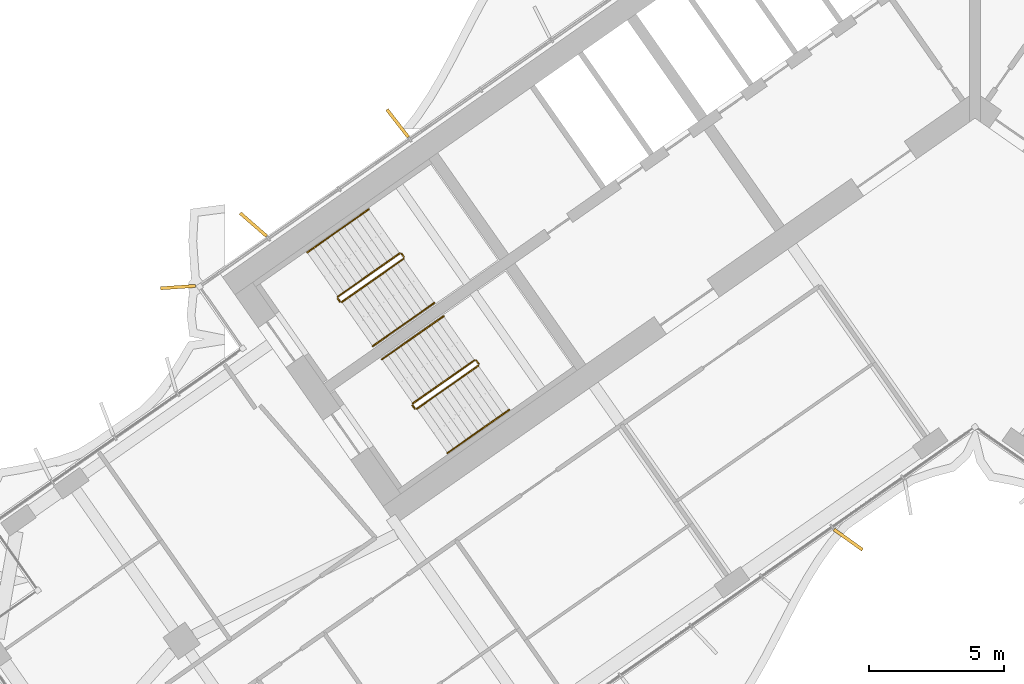
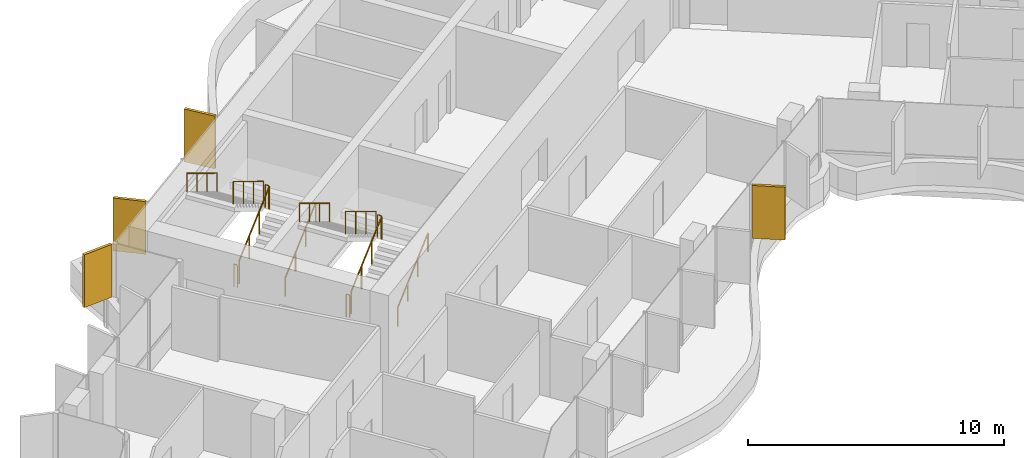
# One storey, part 19 of 23: 12 railings, 4 shading devices.
"""IFC4 building model written with IfcOpenShell, lengths in metres."""

from ifc_helpers import new_model, si_unit, direction, frame, origin, origin_2d, place, context, subcontext, project, spatial, rectangle, circle, extrude, material, layer, layer_set, type_object, element, save


model = new_model("IFC4")

# Units and contexts
model_context = context("Model", 3, precision=1e-05, world=origin(), true_north=direction((0.0, 1.0)))
body_context = subcontext(model_context, "Body", "Model", "MODEL_VIEW")
ifc_project = project(units=[si_unit("LENGTHUNIT", "METRE"), si_unit("AREAUNIT", "SQUARE_METRE"), si_unit("VOLUMEUNIT", "CUBIC_METRE"), si_unit("PLANEANGLEUNIT", "RADIAN"), si_unit("MASSUNIT", "GRAM", prefix="KILO")], contexts=[model_context])

# Site, building, storey
site_placement = place(None, origin())
site = spatial("IfcSite", under=ifc_project, at=site_placement, CompositionType="ELEMENT")
building_placement = place(site_placement, origin())
building = spatial("IfcBuilding", under=site, at=building_placement, Name="Tel Ilan Convention Tower", CompositionType="ELEMENT")
storey_placement = place(building_placement, frame((0.0, 0.0, 190.5)))
storey = spatial("IfcBuildingStorey", under=building, at=storey_placement, Name="L44", CompositionType="ELEMENT", Elevation=190.5)

# Shading devices
ifc_material_1 = material(Name="Aluminium, bronze anodised", Category="aluminium")
ifc_layer = layer(ifc_material_1, 0.1201171875)
ifc_layer_set = layer_set([ifc_layer], Name="FIN BRONZE 1300x120")
shading_device_type = type_object("IfcShadingDeviceType", Name="FIN BRONZE 1300x120", PredefinedType="USERDEFINED", material=ifc_layer_set)
for number, where, z_axis, x_axis, name in (
    (1, (-21.46044921875, -1.4130859375, 1.10009765625), (0.0, 0.0, 1.0), (-0.612600545196, 0.790392669516, 0.0), "FIN"),
    (2, (-26.823974609375, -5.177001953125, 1.10009765625), (0.0, 0.0, 1.0), (-0.753435896329, 0.657521368568, 0.0), "FIN"),
    (3, (-29.62109375, -7.500732421875, 1.10009765625), (0.0, 0.0, 1.0), (-0.997697449973, -0.067821812994, 0.0), "FIN"),
    (4, (-4.71044921875, -16.888427734375, 1.10009765625), (0.0, 0.0, 1.0), (0.813552070258, -0.581492071294, 0.0), "FIN"),
):
    element("IfcShadingDevice", number, at=place(storey_placement, frame(where, z_axis=z_axis, x_axis=x_axis)), inside=storey, type_object=shading_device_type, Name=name, ObjectType="FIN", PredefinedType="USERDEFINED", context=body_context, shape_type="SweptSolid", body=[
        extrude(rectangle(XDim=1.300048828125, YDim=0.1201171875, at=origin_2d()), origin(), (0.0, 0.0, 1.0), 2.52001953125),
    ])

# Railings
ifc_material_2 = material(Name="Stainless Steel Grade 316", Category="steel")
railing_type_1 = type_object("IfcRailingType", Name="Stainless Steel Stair Guard 1100 mm", PredefinedType="GUARDRAIL", material=ifc_material_2)
railing_1_placement = place(storey_placement, frame((-23.535400390625, -8.056396484375, 0.17724609375)))
element("IfcRailing", 5, at=railing_1_placement, inside=storey, type_object=railing_type_1, Name="L44 S1 stair guard 1", PredefinedType="GUARDRAIL", context=body_context, shape_type="SweptSolid", body=[
    extrude(circle(Radius=0.02392578125, at=origin_2d()), frame((0.0, 0.0, 1.076171875), z_axis=(0.692098378994, 0.484653031975, 0.534893701956), x_axis=(-0.573608623498, 0.819129505664, 0.0)), (0.0, 0.0, 1.0), 3.314208984375),
    extrude(circle(Radius=0.02099609375, at=origin_2d()), origin(), (0.0, 0.0, 1.0), 1.052001953125),
    extrude(circle(Radius=0.02099609375, at=origin_2d()), frame((0.7646484375, 0.535400390625, 0.5908203125)), (0.0, 0.0, 1.0), 1.052001953125),
    extrude(circle(Radius=0.02099609375, at=origin_2d()), frame((1.529052734375, 1.07080078125, 1.181884765625)), (0.0, 0.0, 1.0), 1.052001953125),
    extrude(circle(Radius=0.02099609375, at=origin_2d()), frame((2.293701171875, 1.606201171875, 1.772705078125)), (0.0, 0.0, 1.0), 1.052001953125),
])
railing_2_placement = place(storey_placement, frame((-21.2294921875, -6.380615234375, 1.949951171875)))
element("IfcRailing", 6, at=railing_2_placement, inside=storey, type_object=railing_type_1, Name="L44 S1 stair guard 2", PredefinedType="GUARDRAIL", context=body_context, shape_type="SweptSolid", body=[
    extrude(circle(Radius=0.02392578125, at=origin_2d()), frame((0.0, 0.0, 1.076171875), z_axis=(-0.573353020881, 0.819308436089, 0.0), x_axis=(-0.819308436089, -0.573353020881, 0.0)), (0.0, 0.0, 1.0), 0.14990234375),
    extrude(circle(Radius=0.02099609375, at=origin_2d()), origin(), (0.0, 0.0, 1.0), 1.052001953125),
    extrude(circle(Radius=0.02099609375, at=origin_2d()), frame((-0.0859375, 0.122802734375, 0.0)), (0.0, 0.0, 1.0), 1.052001953125),
])
railing_3_placement = place(storey_placement, frame((-21.38525390625, -6.24560546875, 2.127197265625)))
element("IfcRailing", 7, at=railing_3_placement, inside=storey, type_object=railing_type_1, Name="L44 S1 stair guard 3", PredefinedType="GUARDRAIL", context=body_context, shape_type="SweptSolid", body=[
    extrude(circle(Radius=0.02392578125, at=origin_2d()), frame((0.0, 0.0, 1.076171875), z_axis=(-0.692084706163, -0.484621375041, 0.534940073605), x_axis=(0.573591086599, -0.819141785879, 0.0)), (0.0, 0.0, 1.0), 3.313720703125),
    extrude(circle(Radius=0.02099609375, at=origin_2d()), origin(), (0.0, 0.0, 1.0), 1.052001953125),
    extrude(circle(Radius=0.02099609375, at=origin_2d()), frame((-0.764404296875, -0.535400390625, 0.5908203125)), (0.0, 0.0, 1.0), 1.052001953125),
    extrude(circle(Radius=0.02099609375, at=origin_2d()), frame((-1.529052734375, -1.070556640625, 1.181884765625)), (0.0, 0.0, 1.0), 1.052001953125),
    extrude(circle(Radius=0.02099609375, at=origin_2d()), frame((-2.29345703125, -1.60595703125, 1.772705078125)), (0.0, 0.0, 1.0), 1.052001953125),
])
railing_4_placement = place(storey_placement, frame((-23.60498046875, -8.0439453125, 0.0)))
element("IfcRailing", 8, at=railing_4_placement, inside=storey, type_object=railing_type_1, Name="L44 S1 stair guard 4", PredefinedType="GUARDRAIL", context=body_context, shape_type="SweptSolid", body=[
    extrude(circle(Radius=0.02392578125, at=origin_2d()), frame((0.0, 0.0, 1.076171875), z_axis=(-0.574444878118, 0.818543268254, 0.0), x_axis=(-0.818543268254, -0.574444878118, 0.0)), (0.0, 0.0, 1.0), 0.150146484375),
    extrude(circle(Radius=0.02099609375, at=origin_2d()), origin(), (0.0, 0.0, 1.0), 1.052001953125),
    extrude(circle(Radius=0.02099609375, at=origin_2d()), frame((-0.086181640625, 0.122802734375, 0.0)), (0.0, 0.0, 1.0), 1.052001953125),
])
railing_5_placement = place(storey_placement, frame((-20.753662109375, -12.029296875, 0.17724609375)))
element("IfcRailing", 9, at=railing_5_placement, inside=storey, type_object=railing_type_1, Name="L44 S2 stair guard 1", PredefinedType="GUARDRAIL", context=body_context, shape_type="SweptSolid", body=[
    extrude(circle(Radius=0.02392578125, at=origin_2d()), frame((0.0, 0.0, 1.076171875), z_axis=(0.692098378994, 0.484653031975, 0.534893701956), x_axis=(-0.573608623498, 0.819129505664, 0.0)), (0.0, 0.0, 1.0), 3.314208984375),
    extrude(circle(Radius=0.02099609375, at=origin_2d()), origin(), (0.0, 0.0, 1.0), 1.052001953125),
    extrude(circle(Radius=0.02099609375, at=origin_2d()), frame((0.7646484375, 0.535400390625, 0.5908203125)), (0.0, 0.0, 1.0), 1.052001953125),
    extrude(circle(Radius=0.02099609375, at=origin_2d()), frame((1.529052734375, 1.07080078125, 1.181884765625)), (0.0, 0.0, 1.0), 1.052001953125),
    extrude(circle(Radius=0.02099609375, at=origin_2d()), frame((2.293701171875, 1.606201171875, 1.772705078125)), (0.0, 0.0, 1.0), 1.052001953125),
])
railing_6_placement = place(storey_placement, frame((-18.44775390625, -10.353515625, 1.949951171875)))
element("IfcRailing", 10, at=railing_6_placement, inside=storey, type_object=railing_type_1, Name="L44 S2 stair guard 2", PredefinedType="GUARDRAIL", context=body_context, shape_type="SweptSolid", body=[
    extrude(circle(Radius=0.02392578125, at=origin_2d()), frame((0.0, 0.0, 1.076171875), z_axis=(-0.573353020881, 0.819308436089, 0.0), x_axis=(-0.819308436089, -0.573353020881, 0.0)), (0.0, 0.0, 1.0), 0.14990234375),
    extrude(circle(Radius=0.02099609375, at=origin_2d()), origin(), (0.0, 0.0, 1.0), 1.052001953125),
    extrude(circle(Radius=0.02099609375, at=origin_2d()), frame((-0.0859375, 0.122802734375, 0.0)), (0.0, 0.0, 1.0), 1.052001953125),
])
railing_7_placement = place(storey_placement, frame((-18.603271484375, -10.218505859375, 2.127197265625)))
element("IfcRailing", 11, at=railing_7_placement, inside=storey, type_object=railing_type_1, Name="L44 S2 stair guard 3", PredefinedType="GUARDRAIL", context=body_context, shape_type="SweptSolid", body=[
    extrude(circle(Radius=0.02392578125, at=origin_2d()), frame((0.0, 0.0, 1.076171875), z_axis=(-0.692123088272, -0.484596665743, 0.534912798717), x_axis=(0.573550118428, -0.819170471667, 0.0)), (0.0, 0.0, 1.0), 3.31396484375),
    extrude(circle(Radius=0.02099609375, at=origin_2d()), origin(), (0.0, 0.0, 1.0), 1.052001953125),
    extrude(circle(Radius=0.02099609375, at=origin_2d()), frame((-0.7646484375, -0.535400390625, 0.5908203125)), (0.0, 0.0, 1.0), 1.052001953125),
    extrude(circle(Radius=0.02099609375, at=origin_2d()), frame((-1.529052734375, -1.070556640625, 1.181884765625)), (0.0, 0.0, 1.0), 1.052001953125),
    extrude(circle(Radius=0.02099609375, at=origin_2d()), frame((-2.293701171875, -1.60595703125, 1.772705078125)), (0.0, 0.0, 1.0), 1.052001953125),
])
railing_8_placement = place(storey_placement, frame((-20.8232421875, -12.016845703125, 0.0)))
element("IfcRailing", 12, at=railing_8_placement, inside=storey, type_object=railing_type_1, Name="L44 S2 stair guard 4", PredefinedType="GUARDRAIL", context=body_context, shape_type="SweptSolid", body=[
    extrude(circle(Radius=0.02392578125, at=origin_2d()), frame((0.0, 0.0, 1.076171875), z_axis=(-0.573353020881, 0.819308436089, 0.0), x_axis=(-0.819308436089, -0.573353020881, 0.0)), (0.0, 0.0, 1.0), 0.14990234375),
    extrude(circle(Radius=0.02099609375, at=origin_2d()), origin(), (0.0, 0.0, 1.0), 1.052001953125),
    extrude(circle(Radius=0.02099609375, at=origin_2d()), frame((-0.0859375, 0.122802734375, 0.0)), (0.0, 0.0, 1.0), 1.052001953125),
])
ifc_material_3 = material(Name="Stainless Steel Grade 316", Category="steel")
railing_type_2 = type_object("IfcRailingType", Name="Stainless Steel Stair Handrail 900 mm", PredefinedType="HANDRAIL", material=ifc_material_3)
railing_9_placement = place(storey_placement, frame((-22.38818359375, -9.694580078125, 0.17724609375)))
element("IfcRailing", 13, at=railing_9_placement, inside=storey, type_object=railing_type_2, Name="L44 S1 stair handrail 1", PredefinedType="HANDRAIL", context=body_context, shape_type="SweptSolid", body=[
    extrude(circle(Radius=0.02392578125, at=origin_2d()), frame((0.0, 0.0, 0.8759765625), z_axis=(0.692084706163, 0.484621375041, 0.534940073605), x_axis=(-0.573591086599, 0.819141785879, 0.0)), (0.0, 0.0, 1.0), 3.313720703125),
    extrude(circle(Radius=0.02099609375, at=origin_2d()), origin(), (0.0, 0.0, 1.0), 0.851806640625),
    extrude(circle(Radius=0.02099609375, at=origin_2d()), frame((0.764404296875, 0.535400390625, 0.5908203125)), (0.0, 0.0, 1.0), 0.851806640625),
    extrude(circle(Radius=0.02099609375, at=origin_2d()), frame((1.529052734375, 1.070556640625, 1.181884765625)), (0.0, 0.0, 1.0), 0.851806640625),
    extrude(circle(Radius=0.02099609375, at=origin_2d()), frame((2.29345703125, 1.60595703125, 1.772705078125)), (0.0, 0.0, 1.0), 0.851806640625),
])
railing_10_placement = place(storey_placement, frame((-22.5322265625, -4.607177734375, 2.127197265625)))
element("IfcRailing", 14, at=railing_10_placement, inside=storey, type_object=railing_type_2, Name="L44 S1 stair handrail 2", PredefinedType="HANDRAIL", context=body_context, shape_type="SweptSolid", body=[
    extrude(circle(Radius=0.02392578125, at=origin_2d()), frame((0.0, 0.0, 0.8759765625), z_axis=(-0.692123088272, -0.484596665743, 0.534912798717), x_axis=(0.573550118428, -0.819170471667, 0.0)), (0.0, 0.0, 1.0), 3.31396484375),
    extrude(circle(Radius=0.02099609375, at=origin_2d()), origin(), (0.0, 0.0, 1.0), 0.851806640625),
    extrude(circle(Radius=0.02099609375, at=origin_2d()), frame((-0.7646484375, -0.535400390625, 0.5908203125)), (0.0, 0.0, 1.0), 0.851806640625),
    extrude(circle(Radius=0.02099609375, at=origin_2d()), frame((-1.529052734375, -1.070556640625, 1.181884765625)), (0.0, 0.0, 1.0), 0.851806640625),
    extrude(circle(Radius=0.02099609375, at=origin_2d()), frame((-2.293701171875, -1.60595703125, 1.772705078125)), (0.0, 0.0, 1.0), 0.851806640625),
])
railing_11_placement = place(storey_placement, frame((-19.6064453125, -13.66748046875, 0.17724609375)))
element("IfcRailing", 15, at=railing_11_placement, inside=storey, type_object=railing_type_2, Name="L44 S2 stair handrail 1", PredefinedType="HANDRAIL", context=body_context, shape_type="SweptSolid", body=[
    extrude(circle(Radius=0.02392578125, at=origin_2d()), frame((0.0, 0.0, 0.8759765625), z_axis=(0.692123088272, 0.484596665743, 0.534912798717), x_axis=(-0.573550118428, 0.819170471667, 0.0)), (0.0, 0.0, 1.0), 3.31396484375),
    extrude(circle(Radius=0.02099609375, at=origin_2d()), origin(), (0.0, 0.0, 1.0), 0.851806640625),
    extrude(circle(Radius=0.02099609375, at=origin_2d()), frame((0.7646484375, 0.535400390625, 0.5908203125)), (0.0, 0.0, 1.0), 0.851806640625),
    extrude(circle(Radius=0.02099609375, at=origin_2d()), frame((1.529052734375, 1.070556640625, 1.181884765625)), (0.0, 0.0, 1.0), 0.851806640625),
    extrude(circle(Radius=0.02099609375, at=origin_2d()), frame((2.293701171875, 1.60595703125, 1.772705078125)), (0.0, 0.0, 1.0), 0.851806640625),
])
railing_12_placement = place(storey_placement, frame((-19.75048828125, -8.580078125, 2.127197265625)))
element("IfcRailing", 16, at=railing_12_placement, inside=storey, type_object=railing_type_2, Name="L44 S2 stair handrail 2", PredefinedType="HANDRAIL", context=body_context, shape_type="SweptSolid", body=[
    extrude(circle(Radius=0.02392578125, at=origin_2d()), frame((0.0, 0.0, 0.8759765625), z_axis=(-0.692123088272, -0.484596665743, 0.534912798717), x_axis=(0.573550118428, -0.819170471667, 0.0)), (0.0, 0.0, 1.0), 3.31396484375),
    extrude(circle(Radius=0.02099609375, at=origin_2d()), origin(), (0.0, 0.0, 1.0), 0.851806640625),
    extrude(circle(Radius=0.02099609375, at=origin_2d()), frame((-0.7646484375, -0.535400390625, 0.5908203125)), (0.0, 0.0, 1.0), 0.851806640625),
    extrude(circle(Radius=0.02099609375, at=origin_2d()), frame((-1.529052734375, -1.070556640625, 1.181884765625)), (0.0, 0.0, 1.0), 0.851806640625),
    extrude(circle(Radius=0.02099609375, at=origin_2d()), frame((-2.293701171875, -1.60595703125, 1.772705078125)), (0.0, 0.0, 1.0), 0.851806640625),
])

save(model, "model.ifc")
